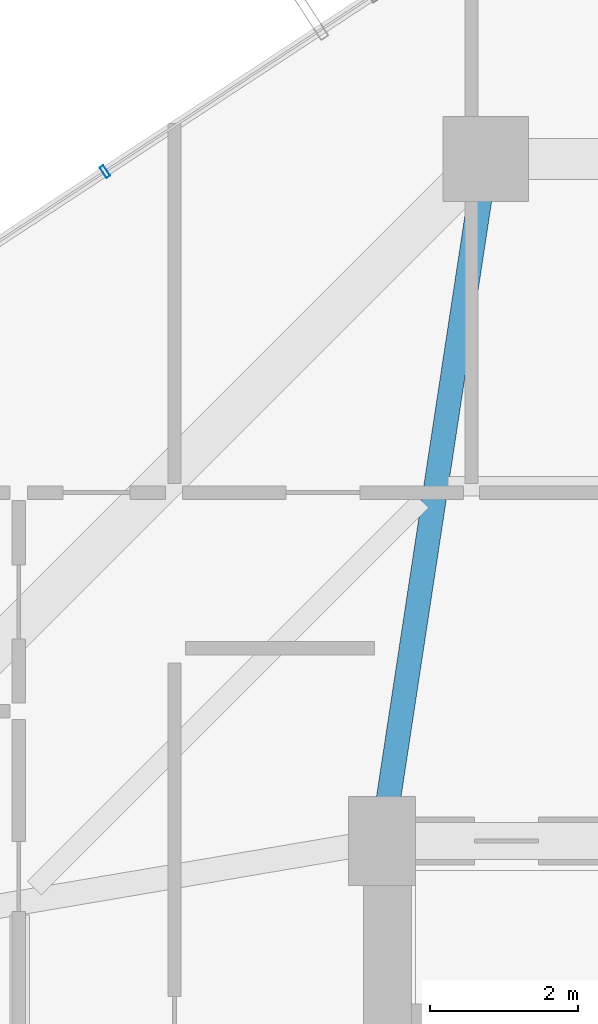
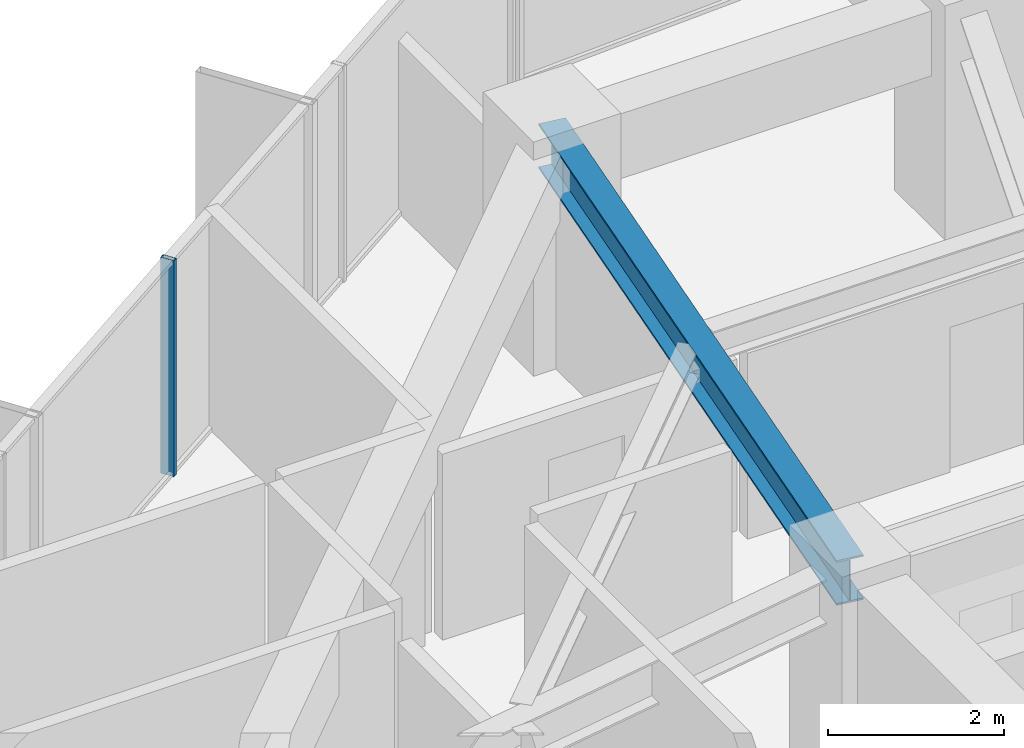
# One storey, part 19 of 33: 1 beam, 1 member, 1 element without a shape of its own.
"""IFC4 building model written with IfcOpenShell, lengths in metres."""

from ifc_helpers import new_model, si_unit, direction, frame, origin, origin_2d, place, context, subcontext, project, spatial, hollow_rectangle, i_section, extrude, source, transform, mapped, material, layer, layer_set, material_profile, profile_set, type_object, element, aggregate, save


model = new_model("IFC4")

# Units and contexts
model_context = context("Model", 3, precision=1e-05, world=origin(), true_north=direction((0.0, 1.0)))
body_context = subcontext(model_context, "Body", "Model", "MODEL_VIEW")
ifc_project = project(units=[si_unit("LENGTHUNIT", "METRE"), si_unit("AREAUNIT", "SQUARE_METRE"), si_unit("VOLUMEUNIT", "CUBIC_METRE"), si_unit("PLANEANGLEUNIT", "RADIAN"), si_unit("MASSUNIT", "GRAM", prefix="KILO")], contexts=[model_context])

# Site, building, storey
site_placement = place(None, origin())
site = spatial("IfcSite", under=ifc_project, at=site_placement, CompositionType="ELEMENT")
building_placement = place(site_placement, origin())
building = spatial("IfcBuilding", under=site, at=building_placement, Name="Veraguas Prism Commons", CompositionType="ELEMENT")
storey_placement = place(building_placement, frame((0.0, 0.0, 139.25)))
storey = spatial("IfcBuildingStorey", under=building, at=storey_placement, Name="L39", CompositionType="ELEMENT", Elevation=139.25)

# Beam
ifc_material_1 = material(Name="Steel ASTM A992 Grade 50", Category="steel")
ifc_material_profile_1 = material_profile(ifc_material_1, i_section(OverallWidth=0.327880859375, OverallDepth=0.6220703125, WebThickness=0.015380859375, FlangeThickness=0.0244140625, at=origin_2d()), Name="W610X195")
ifc_profile_set_1 = profile_set([ifc_material_profile_1], Name="Steel ASTM A992 Grade 50")
beam_type = type_object("IfcBeamType", Name="Zone 2 Radial Girder W610x195", PredefinedType="BEAM", material=ifc_profile_set_1)
beam_placement = place(storey_placement, frame((18.60009765625, 40.199951171875, 2.68896484375), z_axis=(-0.150458162136, -0.98861637729, 0.0), x_axis=(0.98861637729, -0.150458162136, 0.0)))
element("IfcBeam", 1, at=beam_placement, inside=storey, type_object=beam_type, Name="Radial Floor Girder L39-RD06", PredefinedType="BEAM", context=body_context, shape_type="SweptSolid", body=[
    extrude(i_section(OverallWidth=0.327880859375, OverallDepth=0.6220703125, WebThickness=0.015380859375, FlangeThickness=0.0244140625, at=origin_2d()), origin(), (0.0, 0.0, 1.0), 9.305908203125),
])

# Curtain wall, member
ifc_material_2 = material(Name="Anodised aluminium EN AW-6063 T6", Category="aluminium")
ifc_layer = layer(ifc_material_2, 0.169921875, Name="Unitised Flush Curtain Wall Zone 2", Category="aluminium")
ifc_layer_set = layer_set([ifc_layer], Name="Anodised aluminium EN AW-6063 T6")
curtain_wall_type = type_object("IfcCurtainWallType", Name="Unitised Flush Curtain Wall Zone 2", PredefinedType="NOTDEFINED", material=ifc_layer_set)
curtain_wall_placement = place(storey_placement, origin())
curtain_wall = element("IfcCurtainWall", 2, at=curtain_wall_placement, inside=storey, type_object=curtain_wall_type, Name="Tower Facade Curtain Wall L39-F2", PredefinedType="NOTDEFINED")
ifc_material_profile_2 = material_profile(ifc_material_2, hollow_rectangle(XDim=0.06005859375, YDim=0.169921875, WallThickness=0.00390625, at=origin_2d()), Name="AL60X170X4")
ifc_profile_set_2 = profile_set([ifc_material_profile_2], Name="Anodised aluminium EN AW-6063 T6")
member_type = type_object("IfcMemberType", Name="Curtain Wall Mullion Lower AL 60x170x4", PredefinedType="MULLION", material=ifc_profile_set_2)
shared_shape = source(origin(), body_context, "Body", "SweptSolid", [
    extrude(hollow_rectangle(XDim=0.06005859375, YDim=0.169921875, WallThickness=0.00390625, at=origin_2d()), origin(), (0.0, 0.0, 1.0), 3.0),
])
member_placement = place(storey_placement, frame((13.462890625, 40.029296875, 0.0), z_axis=(0.0, 0.0, 1.0), x_axis=(-0.835619500254, -0.54930870264, 0.0)))
member = element("IfcMember", 3, at=member_placement, type_object=member_type, Name="CW-Z2 Mullion 3", PredefinedType="MULLION", context=body_context, shape_type="MappedRepresentation", body=[
    mapped(shared_shape, transform((0.0, 0.0, 0.0), scale=1.0)),
])
aggregate(curtain_wall, [member])

save(model, "model.ifc")
